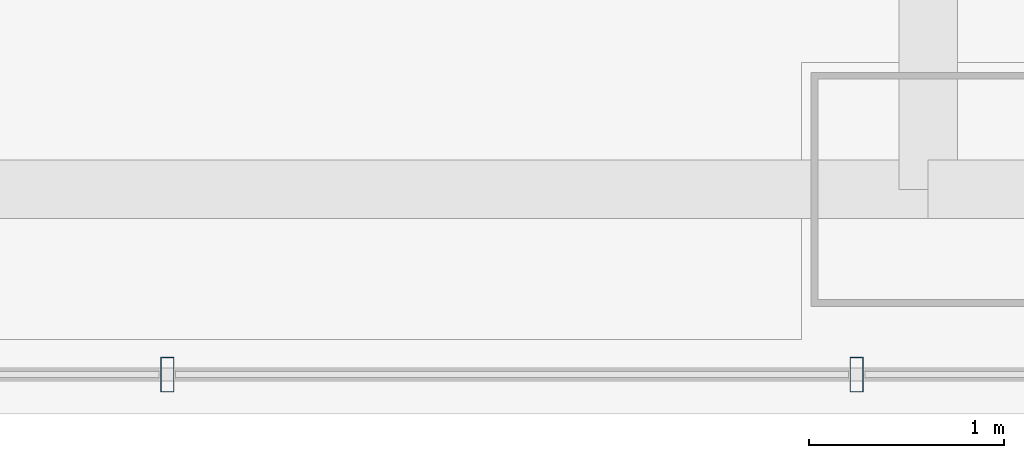
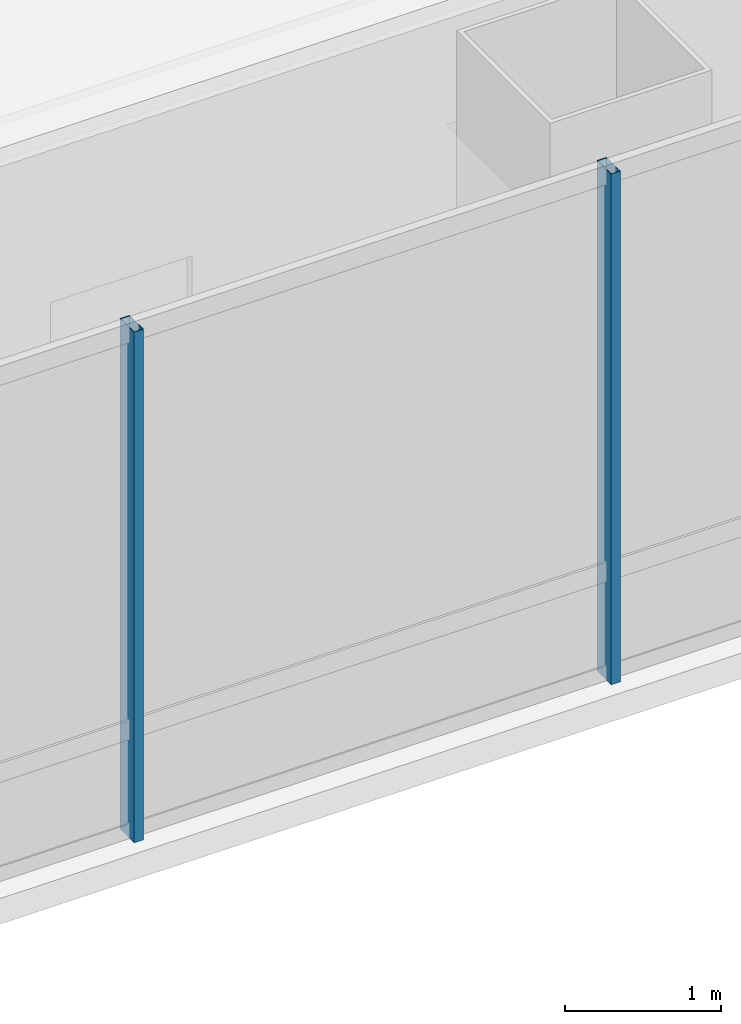
# One storey, part 7 of 41: 2 members, 1 element without a shape of its own.
"""IFC4 building model written with IfcOpenShell, lengths in metres."""

from ifc_helpers import new_model, si_unit, direction, frame, origin, origin_2d, place, context, subcontext, project, spatial, hollow_rectangle, extrude, material, material_profile, profile_set, type_object, element, aggregate, save


model = new_model("IFC4")

# Units and contexts
model_context = context("Model", 3, precision=1e-05, world=origin(), true_north=direction((0.0, 1.0)))
body_context = subcontext(model_context, "Body", "Model", "MODEL_VIEW")
ifc_project = project(units=[si_unit("LENGTHUNIT", "METRE"), si_unit("AREAUNIT", "SQUARE_METRE"), si_unit("VOLUMEUNIT", "CUBIC_METRE"), si_unit("PLANEANGLEUNIT", "RADIAN"), si_unit("MASSUNIT", "GRAM", prefix="KILO")], contexts=[model_context])

# Site, building, storey
site_placement = place(None, origin())
site = spatial("IfcSite", under=ifc_project, at=site_placement, CompositionType="ELEMENT")
building_placement = place(site_placement, origin())
building = spatial("IfcBuilding", under=site, at=building_placement, Name="Punatoya Terracotta Tower", CompositionType="ELEMENT")
storey_placement = place(building_placement, frame((0.0, 0.0, 288.0)))
storey = spatial("IfcBuildingStorey", under=building, at=storey_placement, Name="L68", CompositionType="ELEMENT", Elevation=288.0)

# Curtain wall, members
ifc_material_1 = material(Name="Aluminium 6063-T6 + Double Low-E Glass", Category="aluminium")
curtain_wall_type = type_object("IfcCurtainWallType", Name="CW-M3", PredefinedType="NOTDEFINED", material=ifc_material_1)
curtain_wall_placement = place(storey_placement, origin())
curtain_wall = element("IfcCurtainWall", 1, at=curtain_wall_placement, inside=storey, type_object=curtain_wall_type, Name="L68 Curtain Wall CW-L68-S01-1", PredefinedType="NOTDEFINED")
ifc_material_2 = material(Name="Aluminium 6063-T6", Category="aluminium")
ifc_material_profile = material_profile(ifc_material_2, hollow_rectangle(XDim=0.070068359375, YDim=0.179931640625, WallThickness=0.00390625, at=origin_2d()))
ifc_profile_set = profile_set([ifc_material_profile], Name="Aluminium 6063-T6")
member_type = type_object("IfcMemberType", Name="CW-MUL-M3", PredefinedType="MULLION", material=ifc_profile_set)
member_1_placement = place(storey_placement, frame((-7.700927734375, -18.449951171875, 0.0), z_axis=(0.0, 0.0, 1.0), x_axis=(1.0, 0.0, 0.0)))
member_1 = element("IfcMember", 2, at=member_1_placement, type_object=member_type, Name="CW-L68-S01-1 Mullion 04", PredefinedType="MULLION", context=body_context, shape_type="SweptSolid", body=[
    extrude(hollow_rectangle(XDim=0.070068359375, YDim=0.179931640625, WallThickness=0.00390625, at=origin_2d()), origin(), (0.0, 0.0, 1.0), 4.0),
])
member_2_placement = place(storey_placement, frame((-4.1669921875, -18.449951171875, 0.0), z_axis=(0.0, 0.0, 1.0), x_axis=(1.0, 0.0, 0.0)))
member_2 = element("IfcMember", 3, at=member_2_placement, type_object=member_type, Name="CW-L68-S01-1 Mullion 05", PredefinedType="MULLION", context=body_context, shape_type="SweptSolid", body=[
    extrude(hollow_rectangle(XDim=0.070068359375, YDim=0.179931640625, WallThickness=0.00390625, at=origin_2d()), origin(), (0.0, 0.0, 1.0), 4.0),
])
aggregate(curtain_wall, [member_1, member_2])

save(model, "model.ifc")
